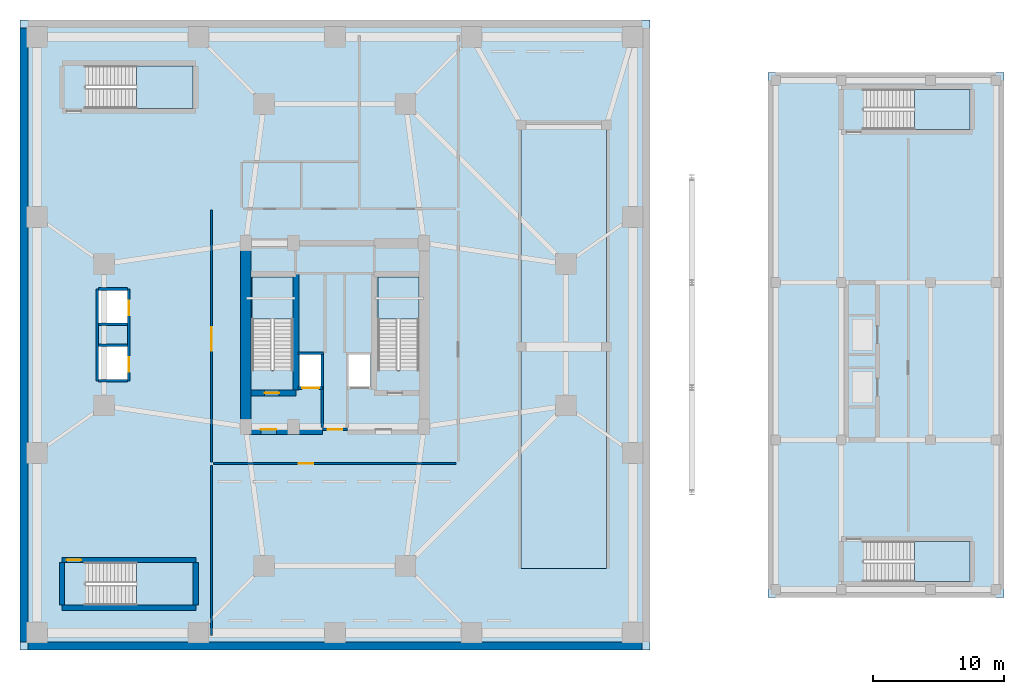
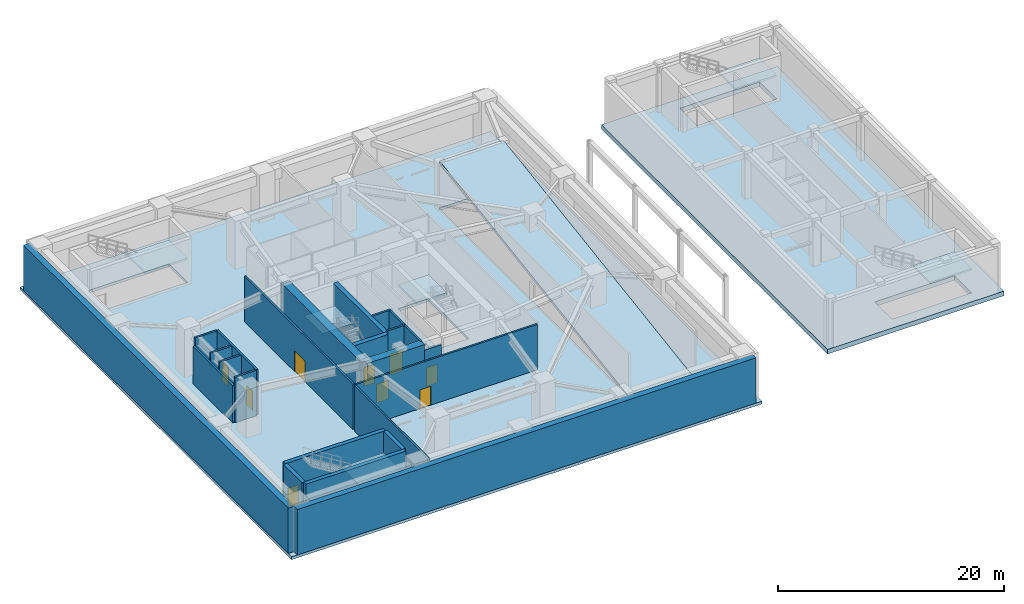
# One storey, part 4 of 13: 23 walls, 9 doors, 9 slabs, 9 openings, 6 elements without a shape of their own.
"""IFC4 building model written with IfcOpenShell, lengths in metres."""

from ifc_helpers import new_model, si_unit, direction, frame, frame_2d, origin, place, context, subcontext, project, spatial, polyline, rectangle, outline, extrude, source, transform, mapped, material, layer, layer_set, type_object, element, fill, aggregate, save


model = new_model("IFC4")

# Units and contexts
model_context = context("Model", 3, precision=1e-05, world=origin(), true_north=direction((0.0, 1.0)))
body_context = subcontext(model_context, "Body", "Model", "MODEL_VIEW")
ifc_project = project(units=[si_unit("LENGTHUNIT", "METRE"), si_unit("AREAUNIT", "SQUARE_METRE"), si_unit("VOLUMEUNIT", "CUBIC_METRE"), si_unit("PLANEANGLEUNIT", "RADIAN"), si_unit("MASSUNIT", "GRAM", prefix="KILO")], contexts=[model_context])

# Site, building, storey
site_placement = place(None, origin())
site = spatial("IfcSite", under=ifc_project, at=site_placement, CompositionType="ELEMENT")
building_placement = place(site_placement, origin())
building = spatial("IfcBuilding", under=site, at=building_placement, Name="Veraguas Prism Commons", CompositionType="ELEMENT")
storey_placement = place(building_placement, frame((0.0, 0.0, -5.199951171875)))
storey = spatial("IfcBuildingStorey", under=building, at=storey_placement, Name="B1", CompositionType="ELEMENT", Elevation=-5.199951171875)

# Slabs
ifc_material_1 = material(Name="Concrete C45/55", Category="concrete")
ifc_layer_1 = layer(ifc_material_1, 0.5, Name="Metro Substructure Base Slab RC 500", Category="concrete")
ifc_layer_set_1 = layer_set([ifc_layer_1], Name="Concrete C45/55")
slab_type_1 = type_object("IfcSlabType", Name="Metro Substructure Base Slab RC 500", PredefinedType="BASESLAB", material=ifc_layer_set_1)
slab_1_placement = place(storey_placement, frame((0.0, 0.0, -0.5)))
element("IfcSlab", 1, at=slab_1_placement, inside=storey, type_object=slab_type_1, Name="Health Centre Floor Slab B1", PredefinedType="BASESLAB", context=body_context, shape_type="SweptSolid", body=[
    extrude(outline(polyline([(57.0, 4.0), (75.0, 4.0), (75.0, 44.0), (57.0, 44.0), (57.0, 4.0)]), holes=[polyline([(64.280029296875, 5.199951171875), (72.39990234375, 5.199951171875), (72.39990234375, 8.25), (64.280029296875, 8.25), (64.280029296875, 5.199951171875)]), polyline([(64.280029296875, 39.659912109375), (72.39990234375, 39.659912109375), (72.39990234375, 42.7099609375), (64.280029296875, 42.7099609375), (64.280029296875, 39.659912109375)])]), origin(), (0.0, 0.0, 1.0), 0.5),
])
ifc_layer_2 = layer(ifc_material_1, 0.300048828125, Name="Podium Concourse and Clinic Slab RC 300", Category="concrete")
ifc_layer_set_2 = layer_set([ifc_layer_2], Name="Concrete C45/55")
slab_type_2 = type_object("IfcSlabType", Name="Podium Concourse and Clinic Slab RC 300", PredefinedType="FLOOR", material=ifc_layer_set_2)
slab_2_placement = place(storey_placement, frame((38.199951171875, 6.199951171875, -0.1201171875), z_axis=(0.0, -0.152055574862, 0.988371945248), x_axis=(1.0, 0.0, 0.0)))
element("IfcSlab", 2, at=slab_2_placement, inside=storey, type_object=slab_type_2, Name="Vehicle Ramp Structural Slab B1", PredefinedType="FLOOR", context=body_context, shape_type="SweptSolid", body=[
    extrude(outline(polyline([(0.0, 0.0), (6.5, 0.0), (6.5, 34.19775390625), (0.0, 34.19775390625), (0.0, 0.0)])), origin(), (0.0, 0.0, -1.0), 0.300048828125),
])
slab_3_placement = place(storey_placement, frame((0.0, 0.0, -0.300048828125)))
element("IfcSlab", 3, at=slab_3_placement, inside=storey, type_object=slab_type_2, Name="Podium and Station Slab B1", PredefinedType="FLOOR", context=body_context, shape_type="SweptSolid", body=[
    extrude(outline(polyline([(0.0, 0.0), (48.0, 0.0), (48.0, 48.0), (0.0, 48.0), (0.0, 0.0)]), holes=[polyline([(20.800048828125, 21.31005859375), (20.800048828125, 28.39990234375), (17.68994140625, 28.39990234375), (17.68994140625, 21.31005859375), (20.800048828125, 21.31005859375)]), polyline([(30.39990234375, 21.31005859375), (30.39990234375, 28.39990234375), (27.2900390625, 28.39990234375), (27.2900390625, 21.31005859375), (30.39990234375, 21.31005859375)]), polyline([(4.97998046875, 3.39990234375), (13.199951171875, 3.39990234375), (13.199951171875, 6.64990234375), (4.97998046875, 6.64990234375), (4.97998046875, 3.39990234375)]), polyline([(4.97998046875, 41.260009765625), (13.199951171875, 41.260009765625), (13.199951171875, 44.510009765625), (4.97998046875, 44.510009765625), (4.97998046875, 41.260009765625)]), polyline([(21.300048828125, 20.050048828125), (23.050048828125, 20.050048828125), (23.050048828125, 22.550048828125), (21.300048828125, 22.550048828125), (21.300048828125, 20.050048828125)]), polyline([(24.949951171875, 20.050048828125), (26.699951171875, 20.050048828125), (26.699951171875, 22.550048828125), (24.949951171875, 22.550048828125), (24.949951171875, 20.050048828125)]), polyline([(6.0, 20.60009765625), (8.199951171875, 20.60009765625), (8.199951171875, 23.10009765625), (6.0, 23.10009765625), (6.0, 20.60009765625)]), polyline([(6.0, 24.89990234375), (8.199951171875, 24.89990234375), (8.199951171875, 27.39990234375), (6.0, 27.39990234375), (6.0, 24.89990234375)]), polyline([(38.179931640625, 6.219970703125), (44.719970703125, 6.219970703125), (44.719970703125, 40.02001953125), (38.179931640625, 40.02001953125), (38.179931640625, 6.219970703125)])]), origin(), (0.0, 0.0, 1.0), 0.300048828125),
])

# Stair, slab
ifc_material_2 = material(Name="Precast concrete C45/55", Category="concrete")
stair_type_1 = type_object("IfcStairType", Name="Dogleg Core Stair 1480W 30R 02", PredefinedType="HALF_TURN_STAIR", material=ifc_material_2)
stair_1_placement = place(storey_placement, origin())
stair_1 = element("IfcStair", 4, at=stair_1_placement, inside=storey, type_object=stair_type_1, Name="Protected Exit Stair ST-01 B1", PredefinedType="HALF_TURN_STAIR")
ifc_layer_3 = layer(ifc_material_2, 0.199951171875, Name="Precast Stair and Ramp Landing Slab 200", Category="concrete")
ifc_layer_set_3 = layer_set([ifc_layer_3], Name="Precast concrete C45/55")
slab_type_3 = type_object("IfcSlabType", Name="Precast Stair and Ramp Landing Slab 200", PredefinedType="LANDING", material=ifc_layer_set_3)
slab_4_placement = place(storey_placement, frame((0.0, 0.0, 2.39990234375)))
slab_4 = element("IfcSlab", 5, at=slab_4_placement, type_object=slab_type_3, Name="ST-02 Landing 1", PredefinedType="LANDING", context=body_context, shape_type="SweptSolid", body=[
    extrude(outline(polyline([(20.800048828125, 25.199951171875), (20.800048828125, 28.39990234375), (17.68994140625, 28.39990234375), (17.68994140625, 25.199951171875), (20.800048828125, 25.199951171875)])), origin(), (0.0, 0.0, 1.0), 0.199951171875),
])
aggregate(stair_1, [slab_4])

stair_2_placement = place(storey_placement, origin())
stair_2 = element("IfcStair", 6, at=stair_2_placement, inside=storey, type_object=stair_type_1, Name="Protected Exit Stair ST-02 B1", PredefinedType="HALF_TURN_STAIR")
slab_5_placement = place(storey_placement, frame((0.0, 0.0, 2.39990234375)))
slab_5 = element("IfcSlab", 7, at=slab_5_placement, type_object=slab_type_3, Name="ST-02 Landing 1", PredefinedType="LANDING", context=body_context, shape_type="SweptSolid", body=[
    extrude(outline(polyline([(30.39990234375, 25.199951171875), (30.39990234375, 28.39990234375), (27.2900390625, 28.39990234375), (27.2900390625, 25.199951171875), (30.39990234375, 25.199951171875)])), origin(), (0.0, 0.0, 1.0), 0.199951171875),
])
aggregate(stair_2, [slab_5])

stair_type_2 = type_object("IfcStairType", Name="Dogleg Core Stair 1550W 30R 10", PredefinedType="HALF_TURN_STAIR", material=ifc_material_2)
stair_3_placement = place(storey_placement, origin())
stair_3 = element("IfcStair", 8, at=stair_3_placement, inside=storey, type_object=stair_type_2, Name="Protected Exit Stair ST-M1 B1", PredefinedType="HALF_TURN_STAIR")
slab_6_placement = place(storey_placement, frame((0.0, 0.0, 2.39990234375)))
slab_6 = element("IfcSlab", 9, at=slab_6_placement, type_object=slab_type_3, Name="ST-10 Landing 1", PredefinedType="LANDING", context=body_context, shape_type="SweptSolid", body=[
    extrude(outline(polyline([(8.8701171875, 3.39990234375), (13.199951171875, 3.39990234375), (13.199951171875, 6.64990234375), (8.8701171875, 6.64990234375), (8.8701171875, 3.39990234375)])), origin(), (0.0, 0.0, 1.0), 0.199951171875),
])
aggregate(stair_3, [slab_6])

stair_4_placement = place(storey_placement, origin())
stair_4 = element("IfcStair", 10, at=stair_4_placement, inside=storey, type_object=stair_type_2, Name="Protected Exit Stair ST-M2 B1", PredefinedType="HALF_TURN_STAIR")
slab_7_placement = place(storey_placement, frame((0.0, 0.0, 2.39990234375)))
slab_7 = element("IfcSlab", 11, at=slab_7_placement, type_object=slab_type_3, Name="ST-10 Landing 1", PredefinedType="LANDING", context=body_context, shape_type="SweptSolid", body=[
    extrude(outline(polyline([(8.8701171875, 41.260009765625), (13.199951171875, 41.260009765625), (13.199951171875, 44.510009765625), (8.8701171875, 44.510009765625), (8.8701171875, 41.260009765625)])), origin(), (0.0, 0.0, 1.0), 0.199951171875),
])
aggregate(stair_4, [slab_7])

stair_type_3 = type_object("IfcStairType", Name="Dogleg Core Stair 1450W 30R 13", PredefinedType="HALF_TURN_STAIR", material=ifc_material_2)
stair_5_placement = place(storey_placement, origin())
stair_5 = element("IfcStair", 12, at=stair_5_placement, inside=storey, type_object=stair_type_3, Name="Protected Exit Stair ST-H1 B1", PredefinedType="HALF_TURN_STAIR")
slab_8_placement = place(storey_placement, frame((0.0, 0.0, 2.39990234375)))
slab_8 = element("IfcSlab", 13, at=slab_8_placement, type_object=slab_type_3, Name="ST-13 Landing 1", PredefinedType="LANDING", context=body_context, shape_type="SweptSolid", body=[
    extrude(outline(polyline([(68.169921875, 5.199951171875), (72.39990234375, 5.199951171875), (72.39990234375, 8.25), (68.169921875, 8.25), (68.169921875, 5.199951171875)])), origin(), (0.0, 0.0, 1.0), 0.199951171875),
])
aggregate(stair_5, [slab_8])

stair_6_placement = place(storey_placement, origin())
stair_6 = element("IfcStair", 14, at=stair_6_placement, inside=storey, type_object=stair_type_3, Name="Protected Exit Stair ST-H2 B1", PredefinedType="HALF_TURN_STAIR")
slab_9_placement = place(storey_placement, frame((0.0, 0.0, 2.39990234375)))
slab_9 = element("IfcSlab", 15, at=slab_9_placement, type_object=slab_type_3, Name="ST-13 Landing 1", PredefinedType="LANDING", context=body_context, shape_type="SweptSolid", body=[
    extrude(outline(polyline([(68.169921875, 39.659912109375), (72.39990234375, 39.659912109375), (72.39990234375, 42.7099609375), (68.169921875, 42.7099609375), (68.169921875, 39.659912109375)])), origin(), (0.0, 0.0, 1.0), 0.199951171875),
])
aggregate(stair_6, [slab_9])

# Walls
ifc_material_3 = material(Name="Concrete C50/60", Category="concrete")
ifc_layer_4 = layer(ifc_material_3, 0.60009765625, Name="Basement Perimeter Retaining Wall RC 600", Category="concrete")
ifc_layer_set_4 = layer_set([ifc_layer_4], Name="Concrete C50/60")
wall_type_1 = type_object("IfcWallType", Name="Basement Perimeter Retaining Wall RC 600", PredefinedType="SOLIDWALL", material=ifc_layer_set_4)
for number, where, z_axis, x_axis, name in (
    (16, (0.60009765625, 0.300048828125, 0.0), (0.0, 0.0, 1.0), (1.0, 0.0, 0.0), "Basement Retaining Wall B1-S"),
    (17, (0.300048828125, 47.39990234375, 0.0), (0.0, 0.0, 1.0), (0.0, -1.0, 0.0), "Basement Retaining Wall B1-W"),
):
    element("IfcWall", number, at=place(storey_placement, frame(where, z_axis=z_axis, x_axis=x_axis)), inside=storey, type_object=wall_type_1, Name=name, PredefinedType="SOLIDWALL", context=body_context, shape_type="SweptSolid", body=[
        extrude(rectangle(XDim=46.7998046875, YDim=0.60009765625, at=frame_2d((23.39990234375, 0.0))), origin(), (0.0, 0.0, 1.0), 4.89990234375),
    ])
ifc_layer_5 = layer(ifc_material_3, 0.39990234375, Name="Clinic and Mid Core Shear Wall RC 400", Category="concrete")
ifc_layer_set_5 = layer_set([ifc_layer_5], Name="Concrete C50/60")
wall_type_2 = type_object("IfcWallType", Name="Clinic and Mid Core Shear Wall RC 400", PredefinedType="SHEAR", material=ifc_layer_set_5)
wall_1_placement = place(storey_placement, frame((3.199951171875, 3.199951171875, 0.0), z_axis=(0.0, 0.0, 1.0), x_axis=(1.0, 0.0, 0.0)))
element("IfcWall", 18, at=wall_1_placement, inside=storey, type_object=wall_type_2, Name="ST-M1 South Shear Wall B1", PredefinedType="SHEAR", context=body_context, shape_type="SweptSolid", body=[
    extrude(rectangle(XDim=10.199951171875, YDim=0.39990234375, at=frame_2d((5.10009765625, 0.0))), origin(), (0.0, 0.0, 1.0), 4.89990234375),
])

# Wall, opening, door
wall_2_placement = place(storey_placement, frame((3.199951171875, 6.85009765625, 0.0), z_axis=(0.0, 0.0, 1.0), x_axis=(1.0, 0.0, 0.0)))
wall_2 = element("IfcWall", 19, at=wall_2_placement, inside=storey, type_object=wall_type_2, Name="ST-M1 North Shear Wall B1", PredefinedType="SHEAR", context=body_context, shape_type="SweptSolid", body=[
    extrude(rectangle(XDim=10.199951171875, YDim=0.39990234375, at=frame_2d((5.10009765625, 0.0))), origin(), (0.0, 0.0, 1.0), 4.89990234375),
])
opening_1_placement = place(wall_2_placement, frame((0.35009765625, 0.0, 0.0)))
opening_1 = element("IfcOpeningElement", 20, at=opening_1_placement, cuts=wall_2, Name="Opening DR-05", PredefinedType="OPENING", context=body_context, shape_type="SweptSolid", body=[
    extrude(rectangle(XDim=1.10009765625, YDim=2.030029296875, at=frame_2d((0.550048828125, 1.01513671875))), frame((0.0, 0.2099609375, 0.0), z_axis=(0.0, -1.0, 0.0), x_axis=(1.0, 0.0, 0.0)), (0.0, 0.0, 1.0), 0.419921875),
])
ifc_material_4 = material(Name="Steel fire-rated door assembly", Category="steel")
door_type_1 = type_object("IfcDoorType", Name="Protected Stair and Refuge Fire Door 1100x2030", OperationType="NOTDEFINED", PredefinedType="DOOR", material=ifc_material_4)
shared_shape_1 = source(origin(), body_context, "Body", "SweptSolid", [
    extrude(rectangle(XDim=1.10009765625, YDim=2.030029296875, at=frame_2d((0.550048828125, 1.01513671875))), frame((0.0, 0.02490234375, 0.0), z_axis=(0.0, -1.0, 0.0), x_axis=(1.0, 0.0, 0.0)), (0.0, 0.0, 1.0), 0.050048828125),
])
door_1_placement = place(opening_1_placement, origin())
door_1 = element("IfcDoor", 21, at=door_1_placement, inside=storey, type_object=door_type_1, Name="Metro Stair ST-M1 Door B1", OperationType="SINGLE_SWING_LEFT", OverallHeight=2.030029296875, OverallWidth=1.10009765625, PredefinedType="DOOR", context=body_context, shape_type="MappedRepresentation", body=[
    mapped(shared_shape_1, transform((0.0, 0.0, 0.0), scale=1.0)),
])
fill(opening_1, door_1)

# Walls
for number, where, z_axis, x_axis, name in (
    (22, (3.199951171875, 3.39990234375, 0.0), (0.0, 0.0, 1.0), (0.0, 1.0, 0.0), "ST-M1 West Shear Wall B1"),
    (23, (13.39990234375, 3.39990234375, 0.0), (0.0, 0.0, 1.0), (0.0, 1.0, 0.0), "ST-M1 East Shear Wall B1"),
):
    element("IfcWall", number, at=place(storey_placement, frame(where, z_axis=z_axis, x_axis=x_axis)), inside=storey, type_object=wall_type_2, Name=name, PredefinedType="SHEAR", context=body_context, shape_type="SweptSolid", body=[
        extrude(rectangle(XDim=3.25, YDim=0.39990234375, at=frame_2d((1.625, 0.0))), origin(), (0.0, 0.0, 1.0), 4.89990234375),
    ])

# Wall, opening, door
ifc_material_5 = material(Name="Concrete C60/75", Category="concrete")
ifc_layer_6 = layer(ifc_material_5, 0.449951171875, Name="Core Internal Shear Wall Lower RC 450", Category="concrete")
ifc_layer_set_6 = layer_set([ifc_layer_6], Name="Concrete C60/75")
wall_type_3 = type_object("IfcWallType", Name="Core Internal Shear Wall Lower RC 450", PredefinedType="SHEAR", material=ifc_layer_set_6)
wall_3_placement = place(storey_placement, frame((17.60009765625, 19.574951171875, 0.0), z_axis=(0.0, 0.0, 1.0), x_axis=(1.0, 0.0, 0.0)))
wall_3 = element("IfcWall", 24, at=wall_3_placement, inside=storey, type_object=wall_type_3, Name="Stair ST-01 South Shear Wall B1", PredefinedType="SHEAR", context=body_context, shape_type="SweptSolid", body=[
    extrude(rectangle(XDim=3.4248046875, YDim=0.449951171875, at=frame_2d((1.71240234375, 0.0))), origin(), (0.0, 0.0, 1.0), 4.89990234375),
])
opening_2_placement = place(wall_3_placement, frame((1.050048828125, 0.0, 0.0)))
opening_2 = element("IfcOpeningElement", 25, at=opening_2_placement, cuts=wall_3, Name="Opening DR-05", PredefinedType="OPENING", context=body_context, shape_type="SweptSolid", body=[
    extrude(rectangle(XDim=1.10009765625, YDim=2.030029296875, at=frame_2d((0.550048828125, 1.01513671875))), frame((0.0, 0.23486328125, 0.0), z_axis=(0.0, -1.0, 0.0), x_axis=(1.0, 0.0, 0.0)), (0.0, 0.0, 1.0), 0.469970703125),
])
door_2_placement = place(opening_2_placement, origin())
door_2 = element("IfcDoor", 26, at=door_2_placement, inside=storey, type_object=door_type_1, Name="Stair ST-01 Enclosure Door B1", OperationType="SINGLE_SWING_LEFT", OverallHeight=2.030029296875, OverallWidth=1.10009765625, PredefinedType="DOOR", context=body_context, shape_type="MappedRepresentation", body=[
    mapped(shared_shape_1, transform((0.0, 0.0, 0.0), scale=1.0)),
])
fill(opening_2, door_2)

# Walls
wall_4_placement = place(storey_placement, frame((21.02490234375, 19.800048828125, 0.0), z_axis=(0.0, 0.0, 1.0), x_axis=(0.0, 1.0, 0.0)))
element("IfcWall", 27, at=wall_4_placement, inside=storey, type_object=wall_type_3, Name="Stair ST-01 Inner Shear Wall B1", PredefinedType="SHEAR", context=body_context, shape_type="SweptSolid", body=[
    extrude(rectangle(XDim=8.824951171875, YDim=0.449951171875, at=frame_2d((4.41259765625, 0.0))), origin(), (0.0, 0.0, 1.0), 4.89990234375),
])
ifc_layer_7 = layer(ifc_material_5, 0.800048828125, Name="Core Outer Shear Wall Lower RC 800", Category="concrete")
ifc_layer_set_7 = layer_set([ifc_layer_7], Name="Concrete C60/75")
wall_type_4 = type_object("IfcWallType", Name="Core Outer Shear Wall Lower RC 800", PredefinedType="SHEAR", material=ifc_layer_set_7)
wall_5_placement = place(storey_placement, frame((17.199951171875, 16.800048828125, 0.0), z_axis=(0.0, 0.0, 1.0), x_axis=(0.0, 1.0, 0.0)))
element("IfcWall", 28, at=wall_5_placement, inside=storey, type_object=wall_type_4, Name="Central Core West Shear Wall B1", PredefinedType="SHEAR", context=body_context, shape_type="SweptSolid", body=[
    extrude(rectangle(XDim=14.199951171875, YDim=0.800048828125, at=frame_2d((7.10009765625, 0.0))), origin(), (0.0, 0.0, 1.0), 4.89990234375),
])

# Wall, opening, door
wall_6_placement = place(storey_placement, frame((17.199951171875, 16.800048828125, 0.0), z_axis=(0.0, 0.0, 1.0), x_axis=(1.0, 0.0, 0.0)))
wall_6 = element("IfcWall", 29, at=wall_6_placement, inside=storey, type_object=wall_type_4, Name="Central Core South-West Shear Wall B1", PredefinedType="SHEAR", context=body_context, shape_type="SweptSolid", body=[
    extrude(rectangle(XDim=5.85009765625, YDim=0.800048828125, at=frame_2d((2.925048828125, 0.0))), origin(), (0.0, 0.0, 1.0), 4.89990234375),
])
opening_3_placement = place(wall_6_placement, frame((1.14990234375, 0.0, 0.0)))
opening_3 = element("IfcOpeningElement", 30, at=opening_3_placement, cuts=wall_6, Name="Opening DR-06", PredefinedType="OPENING", context=body_context, shape_type="SweptSolid", body=[
    extrude(rectangle(XDim=1.199951171875, YDim=2.030029296875, at=frame_2d((0.60009765625, 1.01513671875))), frame((0.0, 0.409912109375, 0.0), z_axis=(0.0, -1.0, 0.0), x_axis=(1.0, 0.0, 0.0)), (0.0, 0.0, 1.0), 0.820068359375),
])
door_type_2 = type_object("IfcDoorType", Name="Firefighting Lobby Smoke Door 1200x2030", OperationType="NOTDEFINED", PredefinedType="DOOR", material=ifc_material_4)
shared_shape_2 = source(origin(), body_context, "Body", "SweptSolid", [
    extrude(rectangle(XDim=1.199951171875, YDim=2.030029296875, at=frame_2d((0.60009765625, 1.01513671875))), frame((0.0, 0.02490234375, 0.0), z_axis=(0.0, -1.0, 0.0), x_axis=(1.0, 0.0, 0.0)), (0.0, 0.0, 1.0), 0.050048828125),
])
door_3_placement = place(opening_3_placement, origin())
door_3 = element("IfcDoor", 31, at=door_3_placement, inside=storey, type_object=door_type_2, Name="West FF Lobby Door B1", OperationType="SINGLE_SWING_RIGHT", OverallHeight=2.030029296875, OverallWidth=1.199951171875, PredefinedType="DOOR", context=body_context, shape_type="MappedRepresentation", body=[
    mapped(shared_shape_2, transform((0.0, 0.0, 0.0), scale=1.0)),
])
fill(opening_3, door_3)

ifc_material_6 = material(Name="Autoclaved aerated masonry block 10 MPa", Category="masonry")
ifc_layer_8 = layer(ifc_material_6, 0.179931640625, Name="Corridor and Inter-Tenancy Partition 180", Category="masonry")
ifc_layer_set_8 = layer_set([ifc_layer_8], Name="Autoclaved aerated masonry block 10 MPa")
wall_type_5 = type_object("IfcWallType", Name="Corridor and Inter-Tenancy Partition 180", PredefinedType="PARTITIONING", material=ifc_layer_set_8)
wall_7_placement = place(storey_placement, frame((14.60009765625, 14.300048828125, 0.0), z_axis=(0.0, 0.0, 1.0), x_axis=(0.0, 1.0, 0.0)))
wall_7 = element("IfcWall", 32, at=wall_7_placement, inside=storey, type_object=wall_type_5, Name="WL-B1-PT00", PredefinedType="PARTITIONING", context=body_context, shape_type="SweptSolid", body=[
    extrude(rectangle(XDim=19.199951171875, YDim=0.179931640625, at=frame_2d((9.60009765625, 0.0))), origin(), (0.0, 0.0, 1.0), 4.89990234375),
])
opening_4_placement = place(wall_7_placement, frame((8.5, 0.0, 0.0)))
opening_4 = element("IfcOpeningElement", 33, at=opening_4_placement, cuts=wall_7, Name="Opening DR-07", PredefinedType="OPENING", context=body_context, shape_type="SweptSolid", body=[
    extrude(rectangle(XDim=1.800048828125, YDim=2.25, at=frame_2d((0.89990234375, 1.125))), frame((0.0, 0.099853515625, 0.0), z_axis=(0.0, -1.0, 0.0), x_axis=(1.0, 0.0, 0.0)), (0.0, 0.0, 1.0), 0.199951171875),
])
door_type_3 = type_object("IfcDoorType", Name="Corridor Double Fire Door 1800x2250", OperationType="NOTDEFINED", PredefinedType="DOOR", material=ifc_material_4)
shared_shape_3 = source(origin(), body_context, "Body", "SweptSolid", [
    extrude(rectangle(XDim=1.800048828125, YDim=2.25, at=frame_2d((0.89990234375, 1.125))), frame((0.0, 0.02490234375, 0.0), z_axis=(0.0, -1.0, 0.0), x_axis=(1.0, 0.0, 0.0)), (0.0, 0.0, 1.0), 0.050048828125),
])
door_4_placement = place(opening_4_placement, origin())
door_4 = element("IfcDoor", 34, at=door_4_placement, inside=storey, type_object=door_type_3, Name="Metro Mezzanine Hall Door B1", OperationType="SINGLE_SWING_LEFT", OverallHeight=2.25, OverallWidth=1.800048828125, PredefinedType="DOOR", context=body_context, shape_type="MappedRepresentation", body=[
    mapped(shared_shape_3, transform((0.0, 0.0, 0.0), scale=1.0)),
])
fill(opening_4, door_4)

# Wall
wall_8_placement = place(storey_placement, frame((14.60009765625, 1.10009765625, 0.0), z_axis=(0.0, 0.0, 1.0), x_axis=(0.0, 1.0, 0.0)))
element("IfcWall", 35, at=wall_8_placement, inside=storey, type_object=wall_type_5, Name="WL-B1-PT00B", PredefinedType="PARTITIONING", context=body_context, shape_type="SweptSolid", body=[
    extrude(rectangle(XDim=12.949951171875, YDim=0.179931640625, at=frame_2d((6.47509765625, 0.0))), origin(), (0.0, 0.0, 1.0), 4.89990234375),
])

# Wall, opening, door
wall_9_placement = place(storey_placement, frame((14.75, 14.199951171875, 0.0), z_axis=(0.0, 0.0, 1.0), x_axis=(1.0, 0.0, 0.0)))
wall_9 = element("IfcWall", 36, at=wall_9_placement, inside=storey, type_object=wall_type_5, Name="WL-B1-PT01", PredefinedType="PARTITIONING", context=body_context, shape_type="SweptSolid", body=[
    extrude(rectangle(XDim=18.5, YDim=0.179931640625, at=frame_2d((9.25, 0.0))), origin(), (0.0, 0.0, 1.0), 4.89990234375),
])
opening_5_placement = place(wall_9_placement, frame((6.5, 0.0, 0.0)))
opening_5 = element("IfcOpeningElement", 37, at=opening_5_placement, cuts=wall_9, Name="Opening DR-05", PredefinedType="OPENING", context=body_context, shape_type="SweptSolid", body=[
    extrude(rectangle(XDim=1.10009765625, YDim=2.030029296875, at=frame_2d((0.550048828125, 1.01513671875))), frame((0.0, 0.099853515625, 0.0), z_axis=(0.0, -1.0, 0.0), x_axis=(1.0, 0.0, 0.0)), (0.0, 0.0, 1.0), 0.199951171875),
])
door_5_placement = place(opening_5_placement, origin())
door_5 = element("IfcDoor", 38, at=door_5_placement, inside=storey, type_object=door_type_1, Name="Car Park Lobby Door B1", OperationType="SINGLE_SWING_RIGHT", OverallHeight=2.030029296875, OverallWidth=1.10009765625, PredefinedType="DOOR", context=body_context, shape_type="MappedRepresentation", body=[
    mapped(shared_shape_1, transform((0.0, 0.0, 0.0), scale=1.0)),
])
fill(opening_5, door_5)

ifc_layer_9 = layer(ifc_material_6, 0.199951171875, Name="Rated Shaft and Lobby Block Wall 200", Category="masonry")
ifc_layer_set_9 = layer_set([ifc_layer_9], Name="Autoclaved aerated masonry block 10 MPa")
wall_type_6 = type_object("IfcWallType", Name="Rated Shaft and Lobby Block Wall 200", PredefinedType="SOLIDWALL", material=ifc_layer_set_9)
wall_10_placement = place(storey_placement, frame((23.050048828125, 16.800048828125, 0.0), z_axis=(0.0, 0.0, 1.0), x_axis=(1.0, 0.0, 0.0)))
wall_10 = element("IfcWall", 39, at=wall_10_placement, inside=storey, type_object=wall_type_6, Name="Central Core Lobby Entrance Wall B1", PredefinedType="SOLIDWALL", context=body_context, shape_type="SweptSolid", body=[
    extrude(rectangle(XDim=1.89990234375, YDim=0.199951171875, at=frame_2d((0.949951171875, 0.0))), origin(), (0.0, 0.0, 1.0), 4.050048828125),
])
opening_6_placement = place(wall_10_placement, frame((0.39990234375, 0.0, 0.0)))
opening_6 = element("IfcOpeningElement", 40, at=opening_6_placement, cuts=wall_10, Name="Opening DR-05", PredefinedType="OPENING", context=body_context, shape_type="SweptSolid", body=[
    extrude(rectangle(XDim=1.10009765625, YDim=2.030029296875, at=frame_2d((0.550048828125, 1.01513671875))), frame((0.0, 0.10986328125, 0.0), z_axis=(0.0, -1.0, 0.0), x_axis=(1.0, 0.0, 0.0)), (0.0, 0.0, 1.0), 0.219970703125),
])
door_6_placement = place(opening_6_placement, origin())
door_6 = element("IfcDoor", 41, at=door_6_placement, inside=storey, type_object=door_type_1, Name="Central Lobby Door B1", OperationType="SINGLE_SWING_LEFT", OverallHeight=2.030029296875, OverallWidth=1.10009765625, PredefinedType="DOOR", context=body_context, shape_type="MappedRepresentation", body=[
    mapped(shared_shape_1, transform((0.0, 0.0, 0.0), scale=1.0)),
])
fill(opening_6, door_6)

wall_11_placement = place(storey_placement, frame((21.199951171875, 19.949951171875, 0.0), z_axis=(0.0, 0.0, 1.0), x_axis=(1.0, 0.0, 0.0)))
wall_11 = element("IfcWall", 42, at=wall_11_placement, inside=storey, type_object=wall_type_6, Name="Firefighting Lift FFL-1 Front Wall B1", PredefinedType="SOLIDWALL", context=body_context, shape_type="SweptSolid", body=[
    extrude(rectangle(XDim=1.85009765625, YDim=0.199951171875, at=frame_2d((0.925048828125, 0.0))), origin(), (0.0, 0.0, 1.0), 4.89990234375),
])
opening_7_placement = place(wall_11_placement, frame((0.300048828125, 0.0, 0.0)))
opening_7 = element("IfcOpeningElement", 43, at=opening_7_placement, cuts=wall_11, Name="Opening LD-02", PredefinedType="OPENING", context=body_context, shape_type="SweptSolid", body=[
    extrude(rectangle(XDim=1.300048828125, YDim=2.25, at=frame_2d((0.64990234375, 1.125))), frame((0.0, 0.10986328125, 0.0), z_axis=(0.0, -1.0, 0.0), x_axis=(1.0, 0.0, 0.0)), (0.0, 0.0, 1.0), 0.219970703125),
])
ifc_material_7 = material(Name="Stainless steel AISI 316", Category="steel")
door_type_4 = type_object("IfcDoorType", Name="Firefighting Lift Sliding Landing Door 1300x2250", OperationType="NOTDEFINED", PredefinedType="DOOR", material=ifc_material_7)
shared_shape_4 = source(origin(), body_context, "Body", "SweptSolid", [
    extrude(rectangle(XDim=1.300048828125, YDim=2.25, at=frame_2d((0.64990234375, 1.125))), frame((0.0, 0.02490234375, 0.0), z_axis=(0.0, -1.0, 0.0), x_axis=(1.0, 0.0, 0.0)), (0.0, 0.0, 1.0), 0.050048828125),
])
door_7_placement = place(opening_7_placement, origin())
door_7 = element("IfcDoor", 44, at=door_7_placement, inside=storey, type_object=door_type_4, Name="Firefighting Lift FFL-1 Landing Door B1", OperationType="SLIDING_TO_LEFT", OverallHeight=2.25, OverallWidth=1.300048828125, PredefinedType="DOOR", context=body_context, shape_type="MappedRepresentation", body=[
    mapped(shared_shape_4, transform((0.0, 0.0, 0.0), scale=1.0)),
])
fill(opening_7, door_7)

# Walls
wall_12_placement = place(storey_placement, frame((23.050048828125, 16.949951171875, 0.0), z_axis=(0.0, 0.0, 1.0), x_axis=(0.0, 1.0, 0.0)))
element("IfcWall", 45, at=wall_12_placement, inside=storey, type_object=wall_type_6, Name="West FF Lobby Divider Wall B1", PredefinedType="SOLIDWALL", context=body_context, shape_type="SweptSolid", body=[
    extrude(rectangle(XDim=5.60009765625, YDim=0.199951171875, at=frame_2d((2.800048828125, 0.0))), origin(), (0.0, 0.0, 1.0), 4.89990234375),
])
wall_13_placement = place(storey_placement, frame((21.199951171875, 22.60009765625, 0.0), z_axis=(0.0, 0.0, 1.0), x_axis=(1.0, 0.0, 0.0)))
element("IfcWall", 46, at=wall_13_placement, inside=storey, type_object=wall_type_6, Name="Firefighting Lift FFL-1 Rear Wall B1", PredefinedType="SOLIDWALL", context=body_context, shape_type="SweptSolid", body=[
    extrude(rectangle(XDim=1.949951171875, YDim=0.199951171875, at=frame_2d((0.97509765625, 0.0))), origin(), (0.0, 0.0, 1.0), 4.89990234375),
])

# Wall, openings, doors
wall_14_placement = place(storey_placement, frame((8.300048828125, 20.5, 0.0), z_axis=(0.0, 0.0, 1.0), x_axis=(0.0, 1.0, 0.0)))
wall_14 = element("IfcWall", 47, at=wall_14_placement, inside=storey, type_object=wall_type_6, Name="Metro Lift Shaft Front Wall B1", PredefinedType="SOLIDWALL", context=body_context, shape_type="SweptSolid", body=[
    extrude(rectangle(XDim=7.0, YDim=0.199951171875, at=frame_2d((3.5, 0.0))), origin(), (0.0, 0.0, 1.0), 4.89990234375),
])
opening_8_placement = place(wall_14_placement, frame((0.699951171875, 0.0, 0.0)))
opening_8 = element("IfcOpeningElement", 48, at=opening_8_placement, cuts=wall_14, Name="Opening LD-01", PredefinedType="OPENING", context=body_context, shape_type="SweptSolid", body=[
    extrude(rectangle(XDim=1.10009765625, YDim=2.080078125, at=frame_2d((0.550048828125, 1.0400390625))), frame((0.0, 0.10986328125, 0.0), z_axis=(0.0, -1.0, 0.0), x_axis=(1.0, 0.0, 0.0)), (0.0, 0.0, 1.0), 0.219970703125),
])
opening_9_placement = place(wall_14_placement, frame((5.0, 0.0, 0.0)))
opening_9 = element("IfcOpeningElement", 49, at=opening_9_placement, cuts=wall_14, Name="Opening LD-01", PredefinedType="OPENING", context=body_context, shape_type="SweptSolid", body=[
    extrude(rectangle(XDim=1.10009765625, YDim=2.080078125, at=frame_2d((0.550048828125, 1.0400390625))), frame((0.0, 0.10986328125, 0.0), z_axis=(0.0, -1.0, 0.0), x_axis=(1.0, 0.0, 0.0)), (0.0, 0.0, 1.0), 0.219970703125),
])
door_type_5 = type_object("IfcDoorType", Name="Passenger Lift Sliding Landing Door 1100x2080", OperationType="NOTDEFINED", PredefinedType="DOOR", material=ifc_material_7)
shared_shape_5 = source(origin(), body_context, "Body", "SweptSolid", [
    extrude(rectangle(XDim=1.10009765625, YDim=2.080078125, at=frame_2d((0.550048828125, 1.0400390625))), frame((0.0, 0.02490234375, 0.0), z_axis=(0.0, -1.0, 0.0), x_axis=(1.0, 0.0, 0.0)), (0.0, 0.0, 1.0), 0.050048828125),
])
door_8_placement = place(opening_8_placement, origin())
door_8 = element("IfcDoor", 50, at=door_8_placement, inside=storey, type_object=door_type_5, Name="Metro Lift ML-1 Landing Door B1", OperationType="SLIDING_TO_LEFT", OverallHeight=2.080078125, OverallWidth=1.10009765625, PredefinedType="DOOR", context=body_context, shape_type="MappedRepresentation", body=[
    mapped(shared_shape_5, transform((0.0, 0.0, 0.0), scale=1.0)),
])
fill(opening_8, door_8)
door_9_placement = place(opening_9_placement, origin())
door_9 = element("IfcDoor", 51, at=door_9_placement, inside=storey, type_object=door_type_5, Name="Metro Lift ML-2 Landing Door B1", OperationType="SLIDING_TO_LEFT", OverallHeight=2.080078125, OverallWidth=1.10009765625, PredefinedType="DOOR", context=body_context, shape_type="MappedRepresentation", body=[
    mapped(shared_shape_5, transform((0.0, 0.0, 0.0), scale=1.0)),
])
fill(opening_9, door_9)

# Walls
wall_15_placement = place(storey_placement, frame((5.89990234375, 20.5, 0.0), z_axis=(0.0, 0.0, 1.0), x_axis=(0.0, 1.0, 0.0)))
element("IfcWall", 52, at=wall_15_placement, inside=storey, type_object=wall_type_6, Name="Metro Lift Shaft Rear Wall B1", PredefinedType="SOLIDWALL", context=body_context, shape_type="SweptSolid", body=[
    extrude(rectangle(XDim=7.0, YDim=0.199951171875, at=frame_2d((3.5, 0.0))), origin(), (0.0, 0.0, 1.0), 4.031982421875),
])
for number, where, z_axis, x_axis, name in (
    (53, (6.0, 20.5, 0.0), (0.0, 0.0, 1.0), (1.0, 0.0, 0.0), "Metro Lift Shaft South Wall B1"),
    (54, (6.0, 27.5, 0.0), (0.0, 0.0, 1.0), (1.0, 0.0, 0.0), "Metro Lift Shaft North Wall B1"),
    (55, (6.0, 23.199951171875, 0.0), (0.0, 0.0, 1.0), (1.0, 0.0, 0.0), "Metro Lift ML-1 North Divider Wall B1"),
    (56, (6.0, 24.800048828125, 0.0), (0.0, 0.0, 1.0), (1.0, 0.0, 0.0), "Metro Lift ML-2 South Divider Wall B1"),
):
    element("IfcWall", number, at=place(storey_placement, frame(where, z_axis=z_axis, x_axis=x_axis)), inside=storey, type_object=wall_type_6, Name=name, PredefinedType="SOLIDWALL", context=body_context, shape_type="SweptSolid", body=[
        extrude(rectangle(XDim=2.199951171875, YDim=0.199951171875, at=frame_2d((1.10009765625, 0.0))), origin(), (0.0, 0.0, 1.0), 4.89990234375),
    ])

save(model, "model.ifc")
